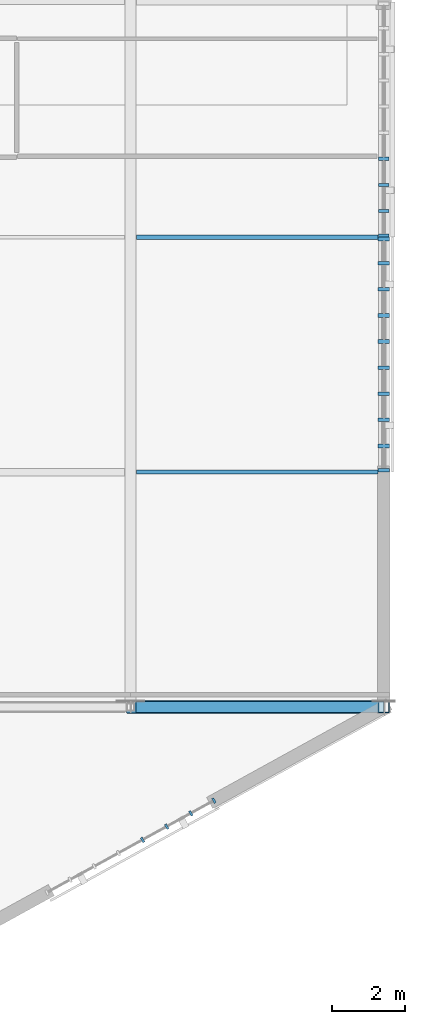
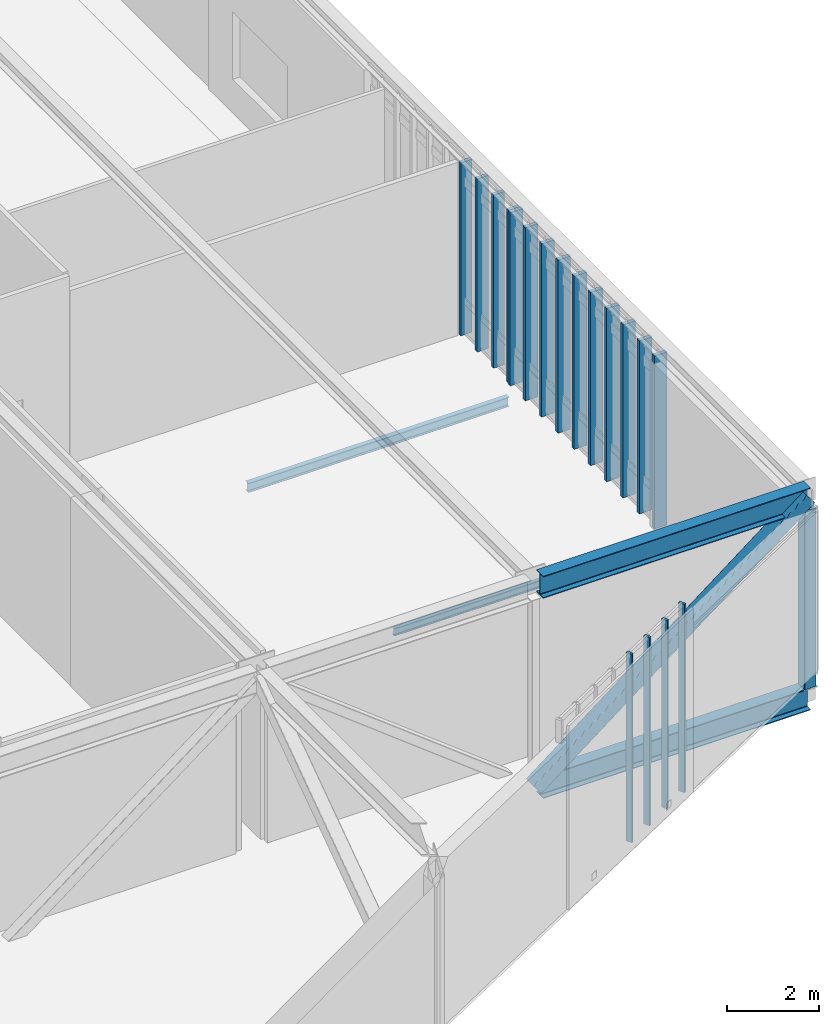
# One storey, part 36 of 135: 20 members, 4 beams, 3 elements without a shape of their own.
"""IFC4 building model written with IfcOpenShell, lengths in metres."""

from ifc_helpers import new_model, si_unit, direction, frame, origin, origin_2d, place, context, subcontext, project, spatial, rectangle, hollow_rectangle, i_section, extrude, material, material_profile, profile_set, type_object, element, aggregate, save


model = new_model("IFC4")

# Units and contexts
model_context = context("Model", 3, precision=1e-05, world=origin(), true_north=direction((0.0, 1.0)))
body_context = subcontext(model_context, "Body", "Model", "MODEL_VIEW")
ifc_project = project(units=[si_unit("LENGTHUNIT", "METRE"), si_unit("AREAUNIT", "SQUARE_METRE"), si_unit("VOLUMEUNIT", "CUBIC_METRE"), si_unit("PLANEANGLEUNIT", "RADIAN"), si_unit("MASSUNIT", "GRAM", prefix="KILO")], contexts=[model_context])

# Site, building, storey
site_placement = place(None, origin())
site = spatial("IfcSite", under=ifc_project, at=site_placement, CompositionType="ELEMENT")
building_placement = place(site_placement, origin())
building = spatial("IfcBuilding", under=site, at=building_placement, Name="Larkvane Passage Sports Hall", CompositionType="ELEMENT")
storey_placement = place(building_placement, frame((0.0, 0.0, 16.800048828125)))
storey = spatial("IfcBuildingStorey", under=building, at=storey_placement, Name="L03", CompositionType="ELEMENT", Elevation=16.800048828125)

# Beams
ifc_material_1 = material(Name="Steel S460N", Category="steel")
ifc_material_profile_1 = material_profile(ifc_material_1, i_section(OverallWidth=0.300048828125, OverallDepth=0.587890625, WebThickness=0.011962890625, FlangeThickness=0.02001953125, FilletRadius=0.02197265625, at=origin_2d()), Name="H-588x300x12x20")
ifc_profile_set_1 = profile_set([ifc_material_profile_1], Name="Steel S460N")
beam_type_1 = type_object("IfcBeamType", Name="BM-STL-H588", PredefinedType="BEAM", material=ifc_profile_set_1)
for number, where, z_axis, x_axis, name in (
    (1, (159.655029296875, 7.60009765625, -0.614013671875), (1.0, 0.0, 0.0), (0.0, 1.0, 0.0), "Cantilever truss CT-E3A-1 bottom chord 5"),
    (2, (159.655029296875, 7.60009765625, 4.725830078125), (1.0, 0.0, 0.0), (0.0, 1.0, 0.0), "Cantilever truss CT-E3A-1 top chord 5"),
):
    element("IfcBeam", number, at=place(storey_placement, frame(where, z_axis=z_axis, x_axis=x_axis)), inside=storey, type_object=beam_type_1, Name=name, PredefinedType="BEAM", context=body_context, shape_type="SweptSolid", body=[
        extrude(i_section(OverallWidth=0.300048828125, OverallDepth=0.587890625, WebThickness=0.011962890625, FlangeThickness=0.02001953125, FilletRadius=0.02197265625, at=origin_2d()), origin(), (0.0, 0.0, 1.0), 6.744873046875),
    ])

# Curtain wall, members
ifc_material_2 = material(Name="Thermally broken aluminium and low-E glazing", Category="aluminium")
curtain_wall_type_1 = type_object("IfcCurtainWallType", Name="CW-CLINIC", PredefinedType="USERDEFINED", material=ifc_material_2)
curtain_wall_1_placement = place(storey_placement, origin())
curtain_wall_1 = element("IfcCurtainWall", 3, at=curtain_wall_1_placement, inside=storey, type_object=curtain_wall_type_1, Name="Curtain wall CW5-L03-115", ObjectType="UNITISED CURTAIN WALL", PredefinedType="USERDEFINED")
ifc_material_3 = material(Name="Anodised aluminium 6063-T6", Category="aluminium")
ifc_material_profile_2 = material_profile(ifc_material_3, rectangle(XDim=0.10009765625, YDim=0.320068359375, at=origin_2d()), Name="ALU-MUL-100x320")
ifc_profile_set_2 = profile_set([ifc_material_profile_2], Name="Anodised aluminium 6063-T6")
member_type_1 = type_object("IfcMemberType", Name="CW-MUL-100x320", PredefinedType="MULLION", material=ifc_profile_set_2)
member_1_placement = place(storey_placement, frame((166.39990234375, 20.35009765625, 0.0), z_axis=(0.0, 0.0, 1.0), x_axis=(0.0, -1.0, 0.0)))
member_1 = element("IfcMember", 4, at=member_1_placement, type_object=member_type_1, Name="CW-05 mullion 1", PredefinedType="MULLION", context=body_context, shape_type="SweptSolid", body=[
    extrude(rectangle(XDim=0.10009765625, YDim=0.320068359375, at=origin_2d()), origin(), (0.0, 0.0, 1.0), 4.617919921875),
])
member_2_placement = place(storey_placement, frame((166.39990234375, 19.68896484375, 0.0), z_axis=(0.0, 0.0, 1.0), x_axis=(0.0, -1.0, 0.0)))
member_2 = element("IfcMember", 5, at=member_2_placement, type_object=member_type_1, Name="CW-05 mullion 2", PredefinedType="MULLION", context=body_context, shape_type="SweptSolid", body=[
    extrude(rectangle(XDim=0.10009765625, YDim=0.320068359375, at=origin_2d()), origin(), (0.0, 0.0, 1.0), 4.617919921875),
])
member_3_placement = place(storey_placement, frame((166.39990234375, 18.977783203125, 0.0), z_axis=(0.0, 0.0, 1.0), x_axis=(0.0, -1.0, 0.0)))
member_3 = element("IfcMember", 6, at=member_3_placement, type_object=member_type_1, Name="CW-05 mullion 3", PredefinedType="MULLION", context=body_context, shape_type="SweptSolid", body=[
    extrude(rectangle(XDim=0.10009765625, YDim=0.320068359375, at=origin_2d()), origin(), (0.0, 0.0, 1.0), 4.617919921875),
])
member_4_placement = place(storey_placement, frame((166.39990234375, 18.2666015625, 0.0), z_axis=(0.0, 0.0, 1.0), x_axis=(0.0, -1.0, 0.0)))
member_4 = element("IfcMember", 7, at=member_4_placement, type_object=member_type_1, Name="CW-05 mullion 4", PredefinedType="MULLION", context=body_context, shape_type="SweptSolid", body=[
    extrude(rectangle(XDim=0.10009765625, YDim=0.320068359375, at=origin_2d()), origin(), (0.0, 0.0, 1.0), 4.617919921875),
])
member_5_placement = place(storey_placement, frame((166.39990234375, 17.5556640625, 0.0), z_axis=(0.0, 0.0, 1.0), x_axis=(0.0, -1.0, 0.0)))
member_5 = element("IfcMember", 8, at=member_5_placement, type_object=member_type_1, Name="CW-05 mullion 5", PredefinedType="MULLION", context=body_context, shape_type="SweptSolid", body=[
    extrude(rectangle(XDim=0.10009765625, YDim=0.320068359375, at=origin_2d()), origin(), (0.0, 0.0, 1.0), 4.617919921875),
])
member_6_placement = place(storey_placement, frame((166.39990234375, 16.844482421875, 0.0), z_axis=(0.0, 0.0, 1.0), x_axis=(0.0, -1.0, 0.0)))
member_6 = element("IfcMember", 9, at=member_6_placement, type_object=member_type_1, Name="CW-05 mullion 6", PredefinedType="MULLION", context=body_context, shape_type="SweptSolid", body=[
    extrude(rectangle(XDim=0.10009765625, YDim=0.320068359375, at=origin_2d()), origin(), (0.0, 0.0, 1.0), 4.617919921875),
])
member_7_placement = place(storey_placement, frame((166.39990234375, 16.13330078125, 0.0), z_axis=(0.0, 0.0, 1.0), x_axis=(0.0, -1.0, 0.0)))
member_7 = element("IfcMember", 10, at=member_7_placement, type_object=member_type_1, Name="CW-05 mullion 7", PredefinedType="MULLION", context=body_context, shape_type="SweptSolid", body=[
    extrude(rectangle(XDim=0.10009765625, YDim=0.320068359375, at=origin_2d()), origin(), (0.0, 0.0, 1.0), 4.617919921875),
])
member_8_placement = place(storey_placement, frame((166.39990234375, 15.422119140625, 0.0), z_axis=(0.0, 0.0, 1.0), x_axis=(0.0, -1.0, 0.0)))
member_8 = element("IfcMember", 11, at=member_8_placement, type_object=member_type_1, Name="CW-05 mullion 8", PredefinedType="MULLION", context=body_context, shape_type="SweptSolid", body=[
    extrude(rectangle(XDim=0.10009765625, YDim=0.320068359375, at=origin_2d()), origin(), (0.0, 0.0, 1.0), 4.617919921875),
])
member_9_placement = place(storey_placement, frame((166.39990234375, 14.711181640625, 0.0), z_axis=(0.0, 0.0, 1.0), x_axis=(0.0, -1.0, 0.0)))
member_9 = element("IfcMember", 12, at=member_9_placement, type_object=member_type_1, Name="CW-05 mullion 9", PredefinedType="MULLION", context=body_context, shape_type="SweptSolid", body=[
    extrude(rectangle(XDim=0.10009765625, YDim=0.320068359375, at=origin_2d()), origin(), (0.0, 0.0, 1.0), 4.617919921875),
])
member_10_placement = place(storey_placement, frame((166.39990234375, 14.050048828125, 0.0), z_axis=(0.0, 0.0, 1.0), x_axis=(0.0, -1.0, 0.0)))
member_10 = element("IfcMember", 13, at=member_10_placement, type_object=member_type_1, Name="CW-05 mullion 10", PredefinedType="MULLION", context=body_context, shape_type="SweptSolid", body=[
    extrude(rectangle(XDim=0.10009765625, YDim=0.320068359375, at=origin_2d()), origin(), (0.0, 0.0, 1.0), 4.617919921875),
])
aggregate(curtain_wall_1, [member_1, member_2, member_3, member_4, member_5, member_6, member_7, member_8, member_9, member_10])

curtain_wall_type_2 = type_object("IfcCurtainWallType", Name="CW-UNIT-COURT", PredefinedType="USERDEFINED", material=ifc_material_2)
curtain_wall_2_placement = place(storey_placement, origin())
curtain_wall_2 = element("IfcCurtainWall", 14, at=curtain_wall_2_placement, inside=storey, type_object=curtain_wall_type_2, Name="Curtain wall CW5-L03-116", ObjectType="UNITISED CURTAIN WALL", PredefinedType="USERDEFINED")
ifc_material_profile_3 = material_profile(ifc_material_3, rectangle(XDim=0.06005859375, YDim=0.14990234375, at=origin_2d()), Name="ALU-MUL-60x150")
ifc_profile_set_3 = profile_set([ifc_material_profile_3], Name="Anodised aluminium 6063-T6")
member_type_2 = type_object("IfcMemberType", Name="CW-MUL-60x150", PredefinedType="MULLION", material=ifc_profile_set_3)
member_11_placement = place(storey_placement, frame((161.773681640625, 5.05224609375, 0.0), z_axis=(0.0, 0.0, 1.0), x_axis=(-0.875942378343, -0.482415743754, 0.0)))
member_11 = element("IfcMember", 15, at=member_11_placement, type_object=member_type_2, Name="CW-01 mullion 1", PredefinedType="MULLION", context=body_context, shape_type="SweptSolid", body=[
    extrude(rectangle(XDim=0.06005859375, YDim=0.14990234375, at=origin_2d()), origin(), (0.0, 0.0, 1.0), 5.030029296875),
])
member_12_placement = place(storey_placement, frame((161.142822265625, 4.704833984375, 0.0), z_axis=(0.0, 0.0, 1.0), x_axis=(-0.875942378343, -0.482415743754, 0.0)))
member_12 = element("IfcMember", 16, at=member_12_placement, type_object=member_type_2, Name="CW-01 mullion 2", PredefinedType="MULLION", context=body_context, shape_type="SweptSolid", body=[
    extrude(rectangle(XDim=0.06005859375, YDim=0.14990234375, at=origin_2d()), origin(), (0.0, 0.0, 1.0), 5.030029296875),
])
member_13_placement = place(storey_placement, frame((160.485595703125, 4.3427734375, 0.0), z_axis=(0.0, 0.0, 1.0), x_axis=(-0.875942378343, -0.482415743754, 0.0)))
member_13 = element("IfcMember", 17, at=member_13_placement, type_object=member_type_2, Name="CW-01 mullion 3", PredefinedType="MULLION", context=body_context, shape_type="SweptSolid", body=[
    extrude(rectangle(XDim=0.06005859375, YDim=0.14990234375, at=origin_2d()), origin(), (0.0, 0.0, 1.0), 5.030029296875),
])
member_14_placement = place(storey_placement, frame((159.82861328125, 3.98095703125, 0.0), z_axis=(0.0, 0.0, 1.0), x_axis=(-0.875942378343, -0.482415743754, 0.0)))
member_14 = element("IfcMember", 18, at=member_14_placement, type_object=member_type_2, Name="CW-01 mullion 4", PredefinedType="MULLION", context=body_context, shape_type="SweptSolid", body=[
    extrude(rectangle(XDim=0.06005859375, YDim=0.14990234375, at=origin_2d()), origin(), (0.0, 0.0, 1.0), 5.030029296875),
])
aggregate(curtain_wall_2, [member_11, member_12, member_13, member_14])

curtain_wall_type_3 = type_object("IfcCurtainWallType", Name="CW-STICK-FOYER", PredefinedType="USERDEFINED", material=ifc_material_2)
curtain_wall_3_placement = place(storey_placement, origin())
curtain_wall_3 = element("IfcCurtainWall", 19, at=curtain_wall_3_placement, inside=storey, type_object=curtain_wall_type_3, Name="Curtain wall CW5-L03-114", ObjectType="STICK CURTAIN WALL", PredefinedType="USERDEFINED")
ifc_material_profile_4 = material_profile(ifc_material_3, rectangle(XDim=0.090087890625, YDim=0.280029296875, at=origin_2d()), Name="ALU-MUL-90x280")
ifc_profile_set_4 = profile_set([ifc_material_profile_4], Name="Anodised aluminium 6063-T6")
member_type_3 = type_object("IfcMemberType", Name="CW-MUL-90x280", PredefinedType="MULLION", material=ifc_profile_set_4)
member_15_placement = place(storey_placement, frame((166.39990234375, 22.533447265625, 0.0), z_axis=(0.0, 0.0, 1.0), x_axis=(0.0, -1.0, 0.0)))
member_15 = element("IfcMember", 20, at=member_15_placement, type_object=member_type_3, Name="CW-03 mullion 7", PredefinedType="MULLION", context=body_context, shape_type="SweptSolid", body=[
    extrude(rectangle(XDim=0.090087890625, YDim=0.280029296875, at=origin_2d()), origin(), (0.0, 0.0, 1.0), 4.617919921875),
])
member_16_placement = place(storey_placement, frame((166.39990234375, 21.822265625, 0.0), z_axis=(0.0, 0.0, 1.0), x_axis=(0.0, -1.0, 0.0)))
member_16 = element("IfcMember", 21, at=member_16_placement, type_object=member_type_3, Name="CW-03 mullion 8", PredefinedType="MULLION", context=body_context, shape_type="SweptSolid", body=[
    extrude(rectangle(XDim=0.090087890625, YDim=0.280029296875, at=origin_2d()), origin(), (0.0, 0.0, 1.0), 4.617919921875),
])
member_17_placement = place(storey_placement, frame((166.39990234375, 21.111083984375, 0.0), z_axis=(0.0, 0.0, 1.0), x_axis=(0.0, -1.0, 0.0)))
member_17 = element("IfcMember", 22, at=member_17_placement, type_object=member_type_3, Name="CW-03 mullion 9", PredefinedType="MULLION", context=body_context, shape_type="SweptSolid", body=[
    extrude(rectangle(XDim=0.090087890625, YDim=0.280029296875, at=origin_2d()), origin(), (0.0, 0.0, 1.0), 4.617919921875),
])
member_18_placement = place(storey_placement, frame((166.39990234375, 20.445068359375, 0.0), z_axis=(0.0, 0.0, 1.0), x_axis=(0.0, -1.0, 0.0)))
member_18 = element("IfcMember", 23, at=member_18_placement, type_object=member_type_3, Name="CW-03 mullion 10", PredefinedType="MULLION", context=body_context, shape_type="SweptSolid", body=[
    extrude(rectangle(XDim=0.090087890625, YDim=0.280029296875, at=origin_2d()), origin(), (0.0, 0.0, 1.0), 4.617919921875),
])
aggregate(curtain_wall_3, [member_15, member_16, member_17, member_18])

# Beams
ifc_material_4 = material(Name="Steel S355JR", Category="steel")
ifc_material_profile_5 = material_profile(ifc_material_4, i_section(OverallWidth=0.10009765625, OverallDepth=0.199951171875, WebThickness=0.005615234375, FlangeThickness=0.008056640625, FilletRadius=0.008056640625, at=origin_2d()), Name="H-200x100x5.5x8")
ifc_profile_set_5 = profile_set([ifc_material_profile_5], Name="Steel S355JR")
beam_type_2 = type_object("IfcBeamType", Name="JST-STL-H200", PredefinedType="JOIST", material=ifc_profile_set_5)
beam_1_placement = place(storey_placement, frame((159.659912109375, 14.0, -0.420166015625), z_axis=(1.0, 0.0, 0.0), x_axis=(0.0, 1.0, 0.0)))
element("IfcBeam", 24, at=beam_1_placement, inside=storey, type_object=beam_type_2, Name="Cantilever floor joist CT-E3A--5-1", PredefinedType="JOIST", context=body_context, shape_type="SweptSolid", body=[
    extrude(i_section(OverallWidth=0.10009765625, OverallDepth=0.199951171875, WebThickness=0.005615234375, FlangeThickness=0.008056640625, FilletRadius=0.008056640625, at=origin_2d()), origin(), (0.0, 0.0, 1.0), 6.580078125),
])
ifc_material_profile_6 = material_profile(ifc_material_4, i_section(OverallWidth=0.125, OverallDepth=0.25, WebThickness=0.006103515625, FlangeThickness=0.009033203125, FilletRadius=0.008056640625, at=origin_2d()), Name="H-250x125x6x9")
ifc_profile_set_6 = profile_set([ifc_material_profile_6], Name="Steel S355JR")
beam_type_3 = type_object("IfcBeamType", Name="JST-STL-H250", PredefinedType="JOIST", material=ifc_profile_set_6)
beam_2_placement = place(storey_placement, frame((159.659912109375, 20.39990234375, -0.445068359375), z_axis=(1.0, 0.0, 0.0), x_axis=(0.0, 1.0, 0.0)))
element("IfcBeam", 25, at=beam_2_placement, inside=storey, type_object=beam_type_3, Name="Cantilever floor joist CT-E3A--5-2", PredefinedType="JOIST", context=body_context, shape_type="SweptSolid", body=[
    extrude(i_section(OverallWidth=0.125, OverallDepth=0.25, WebThickness=0.006103515625, FlangeThickness=0.009033203125, FilletRadius=0.008056640625, at=origin_2d()), origin(), (0.0, 0.0, 1.0), 6.580078125),
])

# Members
ifc_material_profile_7 = material_profile(ifc_material_1, hollow_rectangle(XDim=0.35009765625, YDim=0.35009765625, WallThickness=0.01611328125, InnerFilletRadius=0.01611328125, OuterFilletRadius=0.031982421875, at=origin_2d()), Name="SHS-350x350x16")
ifc_profile_set_7 = profile_set([ifc_material_profile_7], Name="Steel S460N")
member_type_4 = type_object("IfcMemberType", Name="MBR-BR-SHS350", PredefinedType="BRACE", material=ifc_profile_set_7)
member_19_placement = place(storey_placement, frame((159.5, 7.60009765625, -0.614013671875), z_axis=(0.790835550761, 0.0, 0.612028701658), x_axis=(0.0, 1.0, 0.0)))
element("IfcMember", 26, at=member_19_placement, inside=storey, type_object=member_type_4, Name="Cantilever truss CT-E3A-1 web diagonal 5", PredefinedType="BRACE", context=body_context, shape_type="SweptSolid", body=[
    extrude(hollow_rectangle(XDim=0.35009765625, YDim=0.35009765625, WallThickness=0.01611328125, InnerFilletRadius=0.01611328125, OuterFilletRadius=0.031982421875, at=origin_2d()), origin(), (0.0, 0.0, 1.0), 8.724853515625),
])
ifc_material_profile_8 = material_profile(ifc_material_1, hollow_rectangle(XDim=0.300048828125, YDim=0.300048828125, WallThickness=0.011962890625, InnerFilletRadius=0.011962890625, OuterFilletRadius=0.02392578125, at=origin_2d()), Name="SHS-300x300x12")
ifc_profile_set_8 = profile_set([ifc_material_profile_8], Name="Steel S460N")
member_type_5 = type_object("IfcMemberType", Name="MBR-ST-SHS300", PredefinedType="STRUT", material=ifc_profile_set_8)
member_20_placement = place(storey_placement, frame((166.39990234375, 7.60009765625, -0.320068359375), z_axis=(0.0, 0.0, 1.0), x_axis=(1.0, 0.0, 0.0)))
element("IfcMember", 27, at=member_20_placement, inside=storey, type_object=member_type_5, Name="Cantilever truss CT-E3A-1 vertical post 6", PredefinedType="STRUT", context=body_context, shape_type="SweptSolid", body=[
    extrude(hollow_rectangle(XDim=0.300048828125, YDim=0.300048828125, WallThickness=0.011962890625, InnerFilletRadius=0.011962890625, OuterFilletRadius=0.02392578125, at=origin_2d()), origin(), (0.0, 0.0, 1.0), 4.751953125),
])

save(model, "model.ifc")
